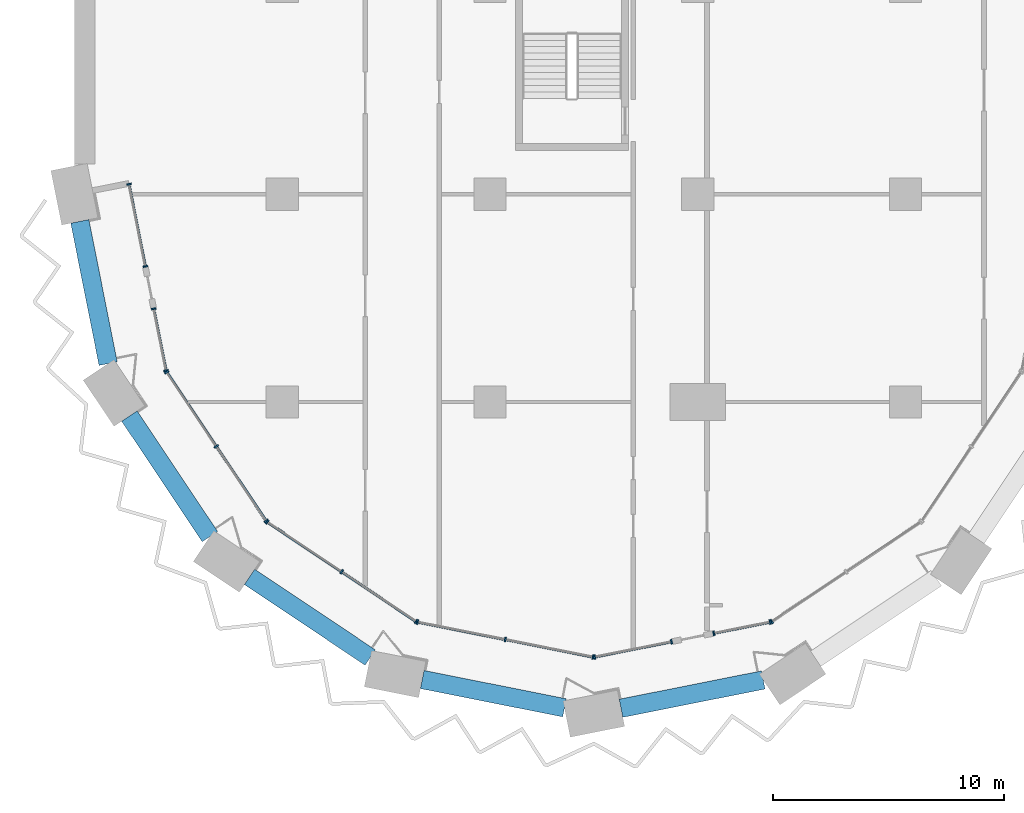
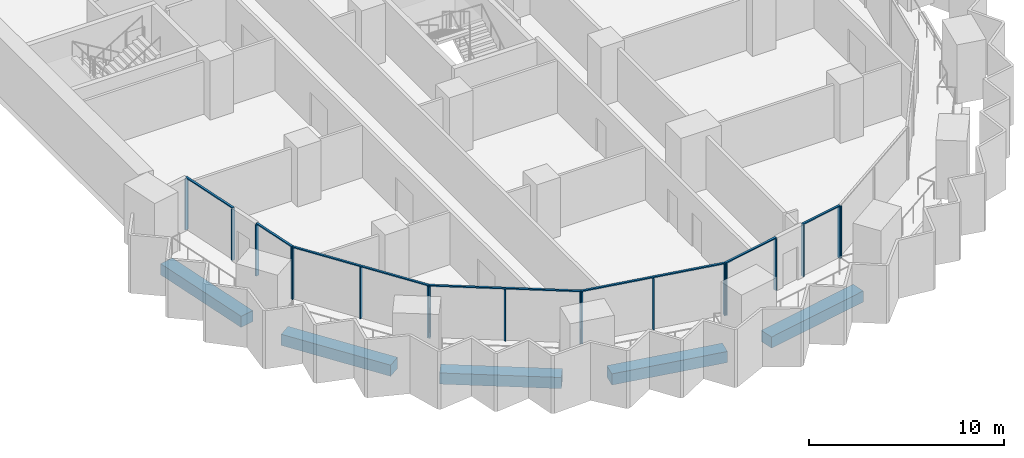
# One storey, part 2 of 28: 25 members, 5 beams, 8 elements without a shape of their own.
"""IFC4 building model written with IfcOpenShell, lengths in metres."""

from ifc_helpers import new_model, si_unit, direction, frame, origin, origin_2d, place, context, subcontext, project, spatial, rectangle, extrude, material, material_profile, profile_set, type_object, element, aggregate, save


model = new_model("IFC4")

# Units and contexts
model_context = context("Model", 3, precision=1e-05, world=origin(), true_north=direction((0.0, 1.0)))
body_context = subcontext(model_context, "Body", "Model", "MODEL_VIEW")
ifc_project = project(units=[si_unit("LENGTHUNIT", "METRE"), si_unit("AREAUNIT", "SQUARE_METRE"), si_unit("VOLUMEUNIT", "CUBIC_METRE"), si_unit("PLANEANGLEUNIT", "RADIAN"), si_unit("MASSUNIT", "GRAM", prefix="KILO")], contexts=[model_context])

# Site, building, storey
site_placement = place(None, origin())
site = spatial("IfcSite", under=ifc_project, at=site_placement, CompositionType="ELEMENT")
building_placement = place(site_placement, origin())
building = spatial("IfcBuilding", under=site, at=building_placement, Name="Hunhe Ridgeline Campus", CompositionType="ELEMENT")
storey_placement = place(building_placement, frame((0.0, 0.0, 72.800048828125)))
storey = spatial("IfcBuildingStorey", under=building, at=storey_placement, Name="L17", CompositionType="ELEMENT", Elevation=72.800048828125)

# Curtain wall, members
ifc_material_1 = material(Name="Aluminium 6063", Category="aluminium")
curtain_wall_type = type_object("IfcCurtainWallType", Name="Curtain wall CW-5", PredefinedType="NOTDEFINED", material=ifc_material_1)
curtain_wall_1_placement = place(storey_placement, origin())
curtain_wall_1 = element("IfcCurtainWall", 1, at=curtain_wall_1_placement, inside=storey, type_object=curtain_wall_type, Name="Curtain wall 01", PredefinedType="NOTDEFINED")
ifc_material_profile_1 = material_profile(ifc_material_1, rectangle(XDim=0.199951171875, YDim=0.070068359375, at=origin_2d()))
ifc_profile_set_1 = profile_set([ifc_material_profile_1], Name="Aluminium 6063")
member_type_1 = type_object("IfcMemberType", Name="CW-5 aluminium mullion", PredefinedType="MULLION", material=ifc_profile_set_1)
member_1_placement = place(storey_placement, frame((2.361572265625, 27.434326171875, 0.0), z_axis=(0.0, 0.0, 1.0), x_axis=(0.980784284924, 0.195095326561, 0.0)))
member_1 = element("IfcMember", 2, at=member_1_placement, type_object=member_type_1, Name="CW-5 mullion 1", PredefinedType="MULLION", context=body_context, shape_type="SweptSolid", body=[
    extrude(rectangle(XDim=0.199951171875, YDim=0.070068359375, at=origin_2d()), origin(), (0.0, 0.0, 1.0), 3.22998046875),
])
member_2_placement = place(storey_placement, frame((3.070068359375, 23.873291015625, 0.0), z_axis=(0.0, 0.0, 1.0), x_axis=(0.980784284924, 0.195095326561, 0.0)))
member_2 = element("IfcMember", 3, at=member_2_placement, type_object=member_type_1, Name="CW-5 mullion 2", PredefinedType="MULLION", context=body_context, shape_type="SweptSolid", body=[
    extrude(rectangle(XDim=0.199951171875, YDim=0.070068359375, at=origin_2d()), origin(), (0.0, 0.0, 1.0), 3.22998046875),
])

curtain_wall_2_placement = place(storey_placement, origin())
curtain_wall_2 = element("IfcCurtainWall", 4, at=curtain_wall_2_placement, inside=storey, type_object=curtain_wall_type, Name="Curtain wall 02", PredefinedType="NOTDEFINED")
member_3_placement = place(storey_placement, frame((3.434814453125, 22.0390625, 0.0), z_axis=(0.0, 0.0, 1.0), x_axis=(0.980784297053, 0.195095265587, 0.0)))
member_3 = element("IfcMember", 5, at=member_3_placement, type_object=member_type_1, Name="CW-5 mullion 1", PredefinedType="MULLION", context=body_context, shape_type="SweptSolid", body=[
    extrude(rectangle(XDim=0.199951171875, YDim=0.070068359375, at=origin_2d()), origin(), (0.0, 0.0, 1.0), 3.22998046875),
])
member_4_placement = place(storey_placement, frame((3.967529296875, 19.36083984375, 0.0), z_axis=(0.0, 0.0, 1.0), x_axis=(0.980784297053, 0.195095265587, 0.0)))
member_4 = element("IfcMember", 6, at=member_4_placement, type_object=member_type_1, Name="CW-5 mullion 2", PredefinedType="MULLION", context=body_context, shape_type="SweptSolid", body=[
    extrude(rectangle(XDim=0.199951171875, YDim=0.070068359375, at=origin_2d()), origin(), (0.0, 0.0, 1.0), 3.22998046875),
])

curtain_wall_3_placement = place(storey_placement, origin())
curtain_wall_3 = element("IfcCurtainWall", 7, at=curtain_wall_3_placement, inside=storey, type_object=curtain_wall_type, Name="Curtain wall 03", PredefinedType="NOTDEFINED")
member_5_placement = place(storey_placement, frame((3.993896484375, 19.29736328125, 0.0), z_axis=(0.0, 0.0, 1.0), x_axis=(0.831469584522, 0.555570274596, 0.0)))
member_5 = element("IfcMember", 8, at=member_5_placement, type_object=member_type_1, Name="CW-5 mullion 1", PredefinedType="MULLION", context=body_context, shape_type="SweptSolid", body=[
    extrude(rectangle(XDim=0.199951171875, YDim=0.070068359375, at=origin_2d()), origin(), (0.0, 0.0, 1.0), 3.22998046875),
])
member_6_placement = place(storey_placement, frame((6.147705078125, 16.07373046875, 0.0), z_axis=(0.0, 0.0, 1.0), x_axis=(0.831469584522, 0.555570274596, 0.0)))
member_6 = element("IfcMember", 9, at=member_6_placement, type_object=member_type_1, Name="CW-5 mullion 2", PredefinedType="MULLION", context=body_context, shape_type="SweptSolid", body=[
    extrude(rectangle(XDim=0.199951171875, YDim=0.070068359375, at=origin_2d()), origin(), (0.0, 0.0, 1.0), 3.22998046875),
])
member_7_placement = place(storey_placement, frame((8.3017578125, 12.850341796875, 0.0), z_axis=(0.0, 0.0, 1.0), x_axis=(0.831469584522, 0.555570274596, 0.0)))
member_7 = element("IfcMember", 10, at=member_7_placement, type_object=member_type_1, Name="CW-5 mullion 3", PredefinedType="MULLION", context=body_context, shape_type="SweptSolid", body=[
    extrude(rectangle(XDim=0.199951171875, YDim=0.070068359375, at=origin_2d()), origin(), (0.0, 0.0, 1.0), 3.22998046875),
])

curtain_wall_4_placement = place(storey_placement, origin())
curtain_wall_4 = element("IfcCurtainWall", 11, at=curtain_wall_4_placement, inside=storey, type_object=curtain_wall_type, Name="Curtain wall 04", PredefinedType="NOTDEFINED")
member_8_placement = place(storey_placement, frame((8.350341796875, 12.8017578125, 0.0), z_axis=(0.0, 0.0, 1.0), x_axis=(0.555570274596, 0.831469584522, 0.0)))
member_8 = element("IfcMember", 12, at=member_8_placement, type_object=member_type_1, Name="CW-5 mullion 1", PredefinedType="MULLION", context=body_context, shape_type="SweptSolid", body=[
    extrude(rectangle(XDim=0.199951171875, YDim=0.070068359375, at=origin_2d()), origin(), (0.0, 0.0, 1.0), 3.22998046875),
])
member_9_placement = place(storey_placement, frame((11.57373046875, 10.647705078125, 0.0), z_axis=(0.0, 0.0, 1.0), x_axis=(0.555570274596, 0.831469584522, 0.0)))
member_9 = element("IfcMember", 13, at=member_9_placement, type_object=member_type_1, Name="CW-5 mullion 2", PredefinedType="MULLION", context=body_context, shape_type="SweptSolid", body=[
    extrude(rectangle(XDim=0.199951171875, YDim=0.070068359375, at=origin_2d()), origin(), (0.0, 0.0, 1.0), 3.22998046875),
])
member_10_placement = place(storey_placement, frame((14.79736328125, 8.493896484375, 0.0), z_axis=(0.0, 0.0, 1.0), x_axis=(0.555570274596, 0.831469584522, 0.0)))
member_10 = element("IfcMember", 14, at=member_10_placement, type_object=member_type_1, Name="CW-5 mullion 3", PredefinedType="MULLION", context=body_context, shape_type="SweptSolid", body=[
    extrude(rectangle(XDim=0.199951171875, YDim=0.070068359375, at=origin_2d()), origin(), (0.0, 0.0, 1.0), 3.22998046875),
])

curtain_wall_5_placement = place(storey_placement, origin())
curtain_wall_5 = element("IfcCurtainWall", 15, at=curtain_wall_5_placement, inside=storey, type_object=curtain_wall_type, Name="Curtain wall 05", PredefinedType="NOTDEFINED")
member_11_placement = place(storey_placement, frame((14.86083984375, 8.467529296875, 0.0), z_axis=(0.0, 0.0, 1.0), x_axis=(0.195090347539, 0.980785275326, 0.0)))
member_11 = element("IfcMember", 16, at=member_11_placement, type_object=member_type_1, Name="CW-5 mullion 1", PredefinedType="MULLION", context=body_context, shape_type="SweptSolid", body=[
    extrude(rectangle(XDim=0.199951171875, YDim=0.070068359375, at=origin_2d()), origin(), (0.0, 0.0, 1.0), 3.22998046875),
])
member_12_placement = place(storey_placement, frame((18.663330078125, 7.711181640625, 0.0), z_axis=(0.0, 0.0, 1.0), x_axis=(0.195090347539, 0.980785275326, 0.0)))
member_12 = element("IfcMember", 17, at=member_12_placement, type_object=member_type_1, Name="CW-5 mullion 2", PredefinedType="MULLION", context=body_context, shape_type="SweptSolid", body=[
    extrude(rectangle(XDim=0.199951171875, YDim=0.070068359375, at=origin_2d()), origin(), (0.0, 0.0, 1.0), 3.22998046875),
])
member_13_placement = place(storey_placement, frame((22.465576171875, 6.954833984375, 0.0), z_axis=(0.0, 0.0, 1.0), x_axis=(0.195090347539, 0.980785275326, 0.0)))
member_13 = element("IfcMember", 18, at=member_13_placement, type_object=member_type_1, Name="CW-5 mullion 3", PredefinedType="MULLION", context=body_context, shape_type="SweptSolid", body=[
    extrude(rectangle(XDim=0.199951171875, YDim=0.070068359375, at=origin_2d()), origin(), (0.0, 0.0, 1.0), 3.22998046875),
])

curtain_wall_6_placement = place(storey_placement, origin())
curtain_wall_6 = element("IfcCurtainWall", 19, at=curtain_wall_6_placement, inside=storey, type_object=curtain_wall_type, Name="Curtain wall 06", PredefinedType="NOTDEFINED")
member_14_placement = place(storey_placement, frame((22.534423828125, 6.954833984375, 0.0), z_axis=(0.0, 0.0, 1.0), x_axis=(-0.19509037034, 0.980785270791, 0.0)))
member_14 = element("IfcMember", 20, at=member_14_placement, type_object=member_type_1, Name="CW-5 mullion 1", PredefinedType="MULLION", context=body_context, shape_type="SweptSolid", body=[
    extrude(rectangle(XDim=0.199951171875, YDim=0.070068359375, at=origin_2d()), origin(), (0.0, 0.0, 1.0), 3.22998046875),
])
member_15_placement = place(storey_placement, frame((25.861083984375, 7.61669921875, 0.0), z_axis=(0.0, 0.0, 1.0), x_axis=(-0.19509037034, 0.980785270791, 0.0)))
member_15 = element("IfcMember", 21, at=member_15_placement, type_object=member_type_1, Name="CW-5 mullion 2", PredefinedType="MULLION", context=body_context, shape_type="SweptSolid", body=[
    extrude(rectangle(XDim=0.199951171875, YDim=0.070068359375, at=origin_2d()), origin(), (0.0, 0.0, 1.0), 3.22998046875),
])

curtain_wall_7_placement = place(storey_placement, origin())
curtain_wall_7 = element("IfcCurtainWall", 22, at=curtain_wall_7_placement, inside=storey, type_object=curtain_wall_type, Name="Curtain wall 07", PredefinedType="NOTDEFINED")
member_16_placement = place(storey_placement, frame((27.695068359375, 7.9814453125, 0.0), z_axis=(0.0, 0.0, 1.0), x_axis=(-0.195090514627, 0.980785242091, 0.0)))
member_16 = element("IfcMember", 23, at=member_16_placement, type_object=member_type_1, Name="CW-5 mullion 1", PredefinedType="MULLION", context=body_context, shape_type="SweptSolid", body=[
    extrude(rectangle(XDim=0.199951171875, YDim=0.070068359375, at=origin_2d()), origin(), (0.0, 0.0, 1.0), 3.22998046875),
])
member_17_placement = place(storey_placement, frame((30.13916015625, 8.467529296875, 0.0), z_axis=(0.0, 0.0, 1.0), x_axis=(-0.195090514627, 0.980785242091, 0.0)))
member_17 = element("IfcMember", 24, at=member_17_placement, type_object=member_type_1, Name="CW-5 mullion 2", PredefinedType="MULLION", context=body_context, shape_type="SweptSolid", body=[
    extrude(rectangle(XDim=0.199951171875, YDim=0.070068359375, at=origin_2d()), origin(), (0.0, 0.0, 1.0), 3.22998046875),
])

# Curtain wall, member
curtain_wall_8_placement = place(storey_placement, origin())
curtain_wall_8 = element("IfcCurtainWall", 25, at=curtain_wall_8_placement, inside=storey, type_object=curtain_wall_type, Name="Curtain wall 08", PredefinedType="NOTDEFINED")
member_18_placement = place(storey_placement, frame((30.20263671875, 8.493896484375, 0.0), z_axis=(0.0, 0.0, 1.0), x_axis=(-0.555570274596, 0.831469584522, 0.0)))
member_18 = element("IfcMember", 26, at=member_18_placement, type_object=member_type_1, Name="CW-5 mullion 1", PredefinedType="MULLION", context=body_context, shape_type="SweptSolid", body=[
    extrude(rectangle(XDim=0.199951171875, YDim=0.070068359375, at=origin_2d()), origin(), (0.0, 0.0, 1.0), 3.22998046875),
])
aggregate(curtain_wall_8, [member_18])

# Member
ifc_material_profile_2 = material_profile(ifc_material_1, rectangle(XDim=0.1201171875, YDim=0.070068359375, at=origin_2d()))
ifc_profile_set_2 = profile_set([ifc_material_profile_2], Name="Aluminium 6063")
member_type_2 = type_object("IfcMemberType", Name="CW-5 aluminium transom", PredefinedType="USERDEFINED", material=ifc_profile_set_2)
member_19_placement = place(storey_placement, frame((2.354736328125, 27.46875, 3.264892578125), z_axis=(0.195126549745, -0.980778073564, 0.0), x_axis=(0.980778073564, 0.195126549745, 0.0)))
member_19 = element("IfcMember", 27, at=member_19_placement, type_object=member_type_2, Name="CW-5 transom 1", ObjectType="TRANSOM", PredefinedType="USERDEFINED", context=body_context, shape_type="SweptSolid", body=[
    extrude(rectangle(XDim=0.1201171875, YDim=0.070068359375, at=origin_2d()), origin(), (0.0, 0.0, 1.0), 3.700927734375),
])

aggregate(curtain_wall_1, [member_19, member_1, member_2])

member_20_placement = place(storey_placement, frame((3.427978515625, 22.073486328125, 3.264892578125), z_axis=(0.195076742145, -0.98078798151, 0.0), x_axis=(0.98078798151, 0.195076742145, 0.0)))
member_20 = element("IfcMember", 28, at=member_20_placement, type_object=member_type_2, Name="CW-5 transom 1", ObjectType="TRANSOM", PredefinedType="USERDEFINED", context=body_context, shape_type="SweptSolid", body=[
    extrude(rectangle(XDim=0.1201171875, YDim=0.070068359375, at=origin_2d()), origin(), (0.0, 0.0, 1.0), 2.80078125),
])

aggregate(curtain_wall_2, [member_20, member_3, member_4])

member_21_placement = place(storey_placement, frame((3.974365234375, 19.326416015625, 3.264892578125), z_axis=(0.5555640203, -0.831473763475, 0.0), x_axis=(0.831473763475, 0.5555640203, 0.0)))
member_21 = element("IfcMember", 29, at=member_21_placement, type_object=member_type_2, Name="CW-5 transom 1", ObjectType="TRANSOM", PredefinedType="USERDEFINED", context=body_context, shape_type="SweptSolid", body=[
    extrude(rectangle(XDim=0.1201171875, YDim=0.070068359375, at=origin_2d()), origin(), (0.0, 0.0, 1.0), 7.823974609375),
])

aggregate(curtain_wall_3, [member_21, member_5, member_6, member_7])

member_22_placement = place(storey_placement, frame((8.321044921875, 12.821044921875, 3.264892578125), z_axis=(0.831473763475, -0.5555640203, 0.0), x_axis=(0.5555640203, 0.831473763475, 0.0)))
member_22 = element("IfcMember", 30, at=member_22_placement, type_object=member_type_2, Name="CW-5 transom 1", ObjectType="TRANSOM", PredefinedType="USERDEFINED", context=body_context, shape_type="SweptSolid", body=[
    extrude(rectangle(XDim=0.1201171875, YDim=0.070068359375, at=origin_2d()), origin(), (0.0, 0.0, 1.0), 7.823974609375),
])

aggregate(curtain_wall_4, [member_22, member_8, member_9, member_10])

member_23_placement = place(storey_placement, frame((14.826416015625, 8.474365234375, 3.264892578125), z_axis=(0.980785367689, -0.195089883198, 0.0), x_axis=(0.195089883198, 0.980785367689, 0.0)))
member_23 = element("IfcMember", 31, at=member_23_placement, type_object=member_type_2, Name="CW-5 transom 1", ObjectType="TRANSOM", PredefinedType="USERDEFINED", context=body_context, shape_type="SweptSolid", body=[
    extrude(rectangle(XDim=0.1201171875, YDim=0.070068359375, at=origin_2d()), origin(), (0.0, 0.0, 1.0), 7.823974609375),
])

aggregate(curtain_wall_5, [member_23, member_11, member_12, member_13])

member_24_placement = place(storey_placement, frame((22.5, 6.947998046875, 3.264892578125), z_axis=(0.980778171596, 0.195126057004, 0.0), x_axis=(-0.195126057004, 0.980778171596, 0.0)))
member_24 = element("IfcMember", 32, at=member_24_placement, type_object=member_type_2, Name="CW-5 transom 1", ObjectType="TRANSOM", PredefinedType="USERDEFINED", context=body_context, shape_type="SweptSolid", body=[
    extrude(rectangle(XDim=0.1201171875, YDim=0.070068359375, at=origin_2d()), origin(), (0.0, 0.0, 1.0), 3.462158203125),
])

aggregate(curtain_wall_6, [member_24, member_14, member_15])

member_25_placement = place(storey_placement, frame((27.660888671875, 7.974609375, 3.264892578125), z_axis=(0.980789038007, 0.195071430315, 0.0), x_axis=(-0.195071430315, 0.980789038007, 0.0)))
member_25 = element("IfcMember", 33, at=member_25_placement, type_object=member_type_2, Name="CW-5 transom 1", ObjectType="TRANSOM", PredefinedType="USERDEFINED", context=body_context, shape_type="SweptSolid", body=[
    extrude(rectangle(XDim=0.1201171875, YDim=0.070068359375, at=origin_2d()), origin(), (0.0, 0.0, 1.0), 2.56201171875),
])

aggregate(curtain_wall_7, [member_25, member_16, member_17])

# Beams
ifc_material_2 = material(Name="Concrete C60", Category="concrete")
ifc_material_profile_3 = material_profile(ifc_material_2, rectangle(XDim=0.800048828125, YDim=0.699951171875, at=origin_2d()))
ifc_profile_set_3 = profile_set([ifc_material_profile_3], Name="Concrete C60")
beam_type = type_object("IfcBeamType", Name="RC spandrel beam 800x700 Concrete C60", PredefinedType="SPANDREL", material=ifc_profile_set_3)
for number, where, z_axis, x_axis, name in (
    (34, (0.234130859375, 25.822998046875, -0.60009765625), (0.195076855144, -0.980787959034, 0.0), (0.980787959034, 0.195076855144, 0.0), "Spandrel beam B1-1 L17"),
    (35, (2.37939453125, 17.391845703125, -0.60009765625), (0.555570106491, -0.831469696846, 0.0), (0.831469696846, 0.555570106491, 0.0), "Spandrel beam B1-2 L17"),
    (36, (7.587890625, 10.42333984375, -0.60009765625), (0.831469696846, -0.555570106491, 0.0), (0.555570106491, 0.831469696846, 0.0), "Spandrel beam B1-3 L17"),
    (37, (15.066650390625, 5.978515625, -0.60009765625), (0.980787959034, -0.195076855144, 0.0), (0.195076855144, 0.980787959034, 0.0), "Spandrel beam B1-4 L17"),
    (38, (23.677001953125, 4.734130859375, -0.60009765625), (0.980787959034, 0.195076855144, 0.0), (-0.195076855144, 0.980787959034, 0.0), "Spandrel beam B1-5 L17"),
):
    element("IfcBeam", number, at=place(storey_placement, frame(where, z_axis=z_axis, x_axis=x_axis)), inside=storey, type_object=beam_type, Name=name, PredefinedType="SPANDREL", context=body_context, shape_type="SweptSolid", body=[
        extrude(rectangle(XDim=0.800048828125, YDim=0.699951171875, at=origin_2d()), origin(), (0.0, 0.0, 1.0), 6.280029296875),
    ])

save(model, "model.ifc")
